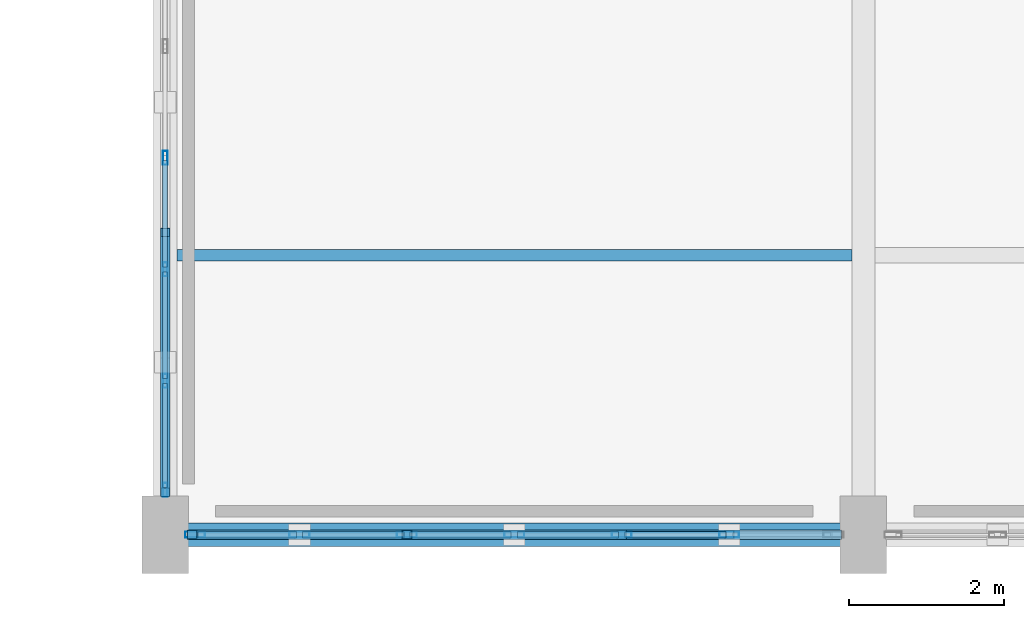
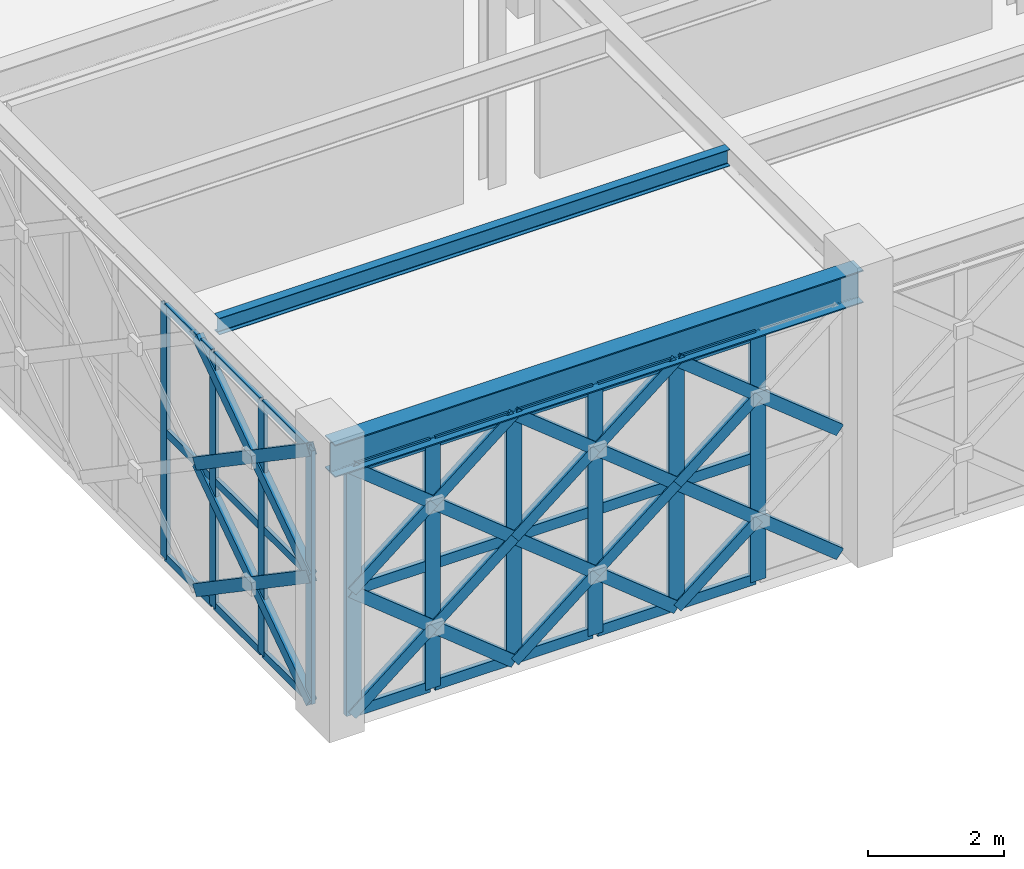
# One storey, part 32 of 155: 56 members, 2 beams, 2 elements without a shape of their own.
"""IFC4 building model written with IfcOpenShell, lengths in metres."""

from ifc_helpers import new_model, si_unit, direction, frame, origin, origin_2d, place, context, subcontext, project, spatial, hollow_rectangle, i_section, extrude, material, material_profile, profile_set, type_object, element, aggregate, save


model = new_model("IFC4")

# Units and contexts
model_context = context("Model", 3, precision=1e-05, world=origin(), true_north=direction((0.0, 1.0)))
body_context = subcontext(model_context, "Body", "Model", "MODEL_VIEW")
ifc_project = project(units=[si_unit("LENGTHUNIT", "METRE"), si_unit("AREAUNIT", "SQUARE_METRE"), si_unit("VOLUMEUNIT", "CUBIC_METRE"), si_unit("PLANEANGLEUNIT", "RADIAN"), si_unit("MASSUNIT", "GRAM", prefix="KILO")], contexts=[model_context])

# Site, building, storey
site_placement = place(None, origin())
site = spatial("IfcSite", under=ifc_project, at=site_placement, CompositionType="ELEMENT")
building_placement = place(site_placement, origin())
building = spatial("IfcBuilding", under=site, at=building_placement, Name="Haizhuo Lancet Aquarium", CompositionType="ELEMENT")
storey_placement = place(building_placement, frame((0.0, 0.0, 10.800048828125)))
storey = spatial("IfcBuildingStorey", under=building, at=storey_placement, Name="L02", CompositionType="ELEMENT", Elevation=10.800048828125)

# Beam
ifc_material_1 = material(Name="Steel S355", Category="steel")
ifc_material_profile_1 = material_profile(ifc_material_1, i_section(OverallWidth=0.300048828125, OverallDepth=0.587890625, WebThickness=0.011962890625, FlangeThickness=0.02001953125, FilletRadius=0.02587890625, at=origin_2d()), Name="HM 588x300x12x20")
ifc_profile_set_1 = profile_set([ifc_material_profile_1], Name="Steel S355")
beam_type_1 = type_object("IfcBeamType", Name="BM-ST-HM588", PredefinedType="BEAM", material=ifc_profile_set_1)
beam_1_placement = place(storey_placement, frame((-18.0, -55.800048828125, 4.755859375), z_axis=(1.0, 0.0, 0.0), x_axis=(0.0, 1.0, 0.0)))
element("IfcBeam", 1, at=beam_1_placement, inside=storey, type_object=beam_type_1, Name="L02 V4 primary girder BM-L02-V4-002", PredefinedType="BEAM", context=body_context, shape_type="SweptSolid", body=[
    extrude(i_section(OverallWidth=0.300048828125, OverallDepth=0.587890625, WebThickness=0.011962890625, FlangeThickness=0.02001953125, FilletRadius=0.02587890625, at=origin_2d()), origin(), (0.0, 0.0, 1.0), 9.0),
])

# Curtain wall, members
ifc_material_2 = material(Name="Aluminium 6063-T6", Category="aluminium")
curtain_wall_type_1 = type_object("IfcCurtainWallType", Name="CWO-10060x4560", PredefinedType="NOTDEFINED", material=ifc_material_2)
curtain_wall_1_placement = place(storey_placement, origin())
curtain_wall_1 = element("IfcCurtainWall", 2, at=curtain_wall_1_placement, inside=storey, type_object=curtain_wall_type_1, Name="L02 curtain wall CW-V4-L02-112", PredefinedType="NOTDEFINED")
ifc_material_profile_2 = material_profile(ifc_material_2, hollow_rectangle(XDim=0.06494140625, YDim=0.179931640625, WallThickness=0.00390625, at=origin_2d()), Name="ALU-M 65x180x4")
ifc_profile_set_2 = profile_set([ifc_material_profile_2], Name="Aluminium 6063-T6")
member_type_1 = type_object("IfcMemberType", Name="CW-MUL-1", PredefinedType="MULLION", material=ifc_profile_set_2)
member_1_placement = place(storey_placement, frame((-18.0, -55.222900390625, 0.0), z_axis=(0.0, 0.0, 1.0), x_axis=(-1.0, 0.0, 0.0)))
member_1 = element("IfcMember", 3, at=member_1_placement, type_object=member_type_1, Name="CWO-100x45 mullion 1", PredefinedType="MULLION", context=body_context, shape_type="SweptSolid", body=[
    extrude(hollow_rectangle(XDim=0.06494140625, YDim=0.179931640625, WallThickness=0.00390625, at=origin_2d()), origin(), (0.0, 0.0, 1.0), 4.56201171875),
])
member_2_placement = place(storey_placement, frame((-18.0, -53.818115234375, 0.0), z_axis=(0.0, 0.0, 1.0), x_axis=(-1.0, 0.0, 0.0)))
member_2 = element("IfcMember", 4, at=member_2_placement, type_object=member_type_1, Name="CWO-100x45 mullion 2", PredefinedType="MULLION", context=body_context, shape_type="SweptSolid", body=[
    extrude(hollow_rectangle(XDim=0.06494140625, YDim=0.179931640625, WallThickness=0.00390625, at=origin_2d()), origin(), (0.0, 0.0, 1.0), 4.56201171875),
])
member_3_placement = place(storey_placement, frame((-18.0, -52.381103515625, 0.0), z_axis=(0.0, 0.0, 1.0), x_axis=(-1.0, 0.0, 0.0)))
member_3 = element("IfcMember", 5, at=member_3_placement, type_object=member_type_1, Name="CWO-100x45 mullion 3", PredefinedType="MULLION", context=body_context, shape_type="SweptSolid", body=[
    extrude(hollow_rectangle(XDim=0.06494140625, YDim=0.179931640625, WallThickness=0.00390625, at=origin_2d()), origin(), (0.0, 0.0, 1.0), 4.56201171875),
])
member_4_placement = place(storey_placement, frame((-18.0, -50.944091796875, 0.0), z_axis=(0.0, 0.0, 1.0), x_axis=(-1.0, 0.0, 0.0)))
member_4 = element("IfcMember", 6, at=member_4_placement, type_object=member_type_1, Name="CWO-100x45 mullion 4", PredefinedType="MULLION", context=body_context, shape_type="SweptSolid", body=[
    extrude(hollow_rectangle(XDim=0.06494140625, YDim=0.179931640625, WallThickness=0.00390625, at=origin_2d()), origin(), (0.0, 0.0, 1.0), 4.56201171875),
])

curtain_wall_type_2 = type_object("IfcCurtainWallType", Name="CWO-8310x4460", PredefinedType="NOTDEFINED", material=ifc_material_2)
curtain_wall_2_placement = place(storey_placement, origin())
curtain_wall_2 = element("IfcCurtainWall", 7, at=curtain_wall_2_placement, inside=storey, type_object=curtain_wall_type_2, Name="L02 curtain wall CW-V4-L02-111", PredefinedType="NOTDEFINED")
ifc_material_profile_3 = material_profile(ifc_material_2, hollow_rectangle(XDim=0.080078125, YDim=0.260009765625, WallThickness=0.0048828125, at=origin_2d()), Name="ALU-M 80x260x5")
ifc_profile_set_3 = profile_set([ifc_material_profile_3], Name="Aluminium 6063-T6")
member_type_2 = type_object("IfcMemberType", Name="CW-MUL-3", PredefinedType="MULLION", material=ifc_profile_set_3)
member_5_placement = place(storey_placement, frame((-10.72998046875, -55.800048828125, 0.0), z_axis=(0.0, 0.0, 1.0), x_axis=(0.0, -1.0, 0.0)))
member_5 = element("IfcMember", 8, at=member_5_placement, type_object=member_type_2, Name="CWO-83x44 mullion 2", PredefinedType="MULLION", context=body_context, shape_type="SweptSolid", body=[
    extrude(hollow_rectangle(XDim=0.080078125, YDim=0.260009765625, WallThickness=0.0048828125, at=origin_2d()), origin(), (0.0, 0.0, 1.0), 4.4619140625),
])
member_6_placement = place(storey_placement, frame((-12.114990234375, -55.800048828125, 0.0), z_axis=(0.0, 0.0, 1.0), x_axis=(0.0, -1.0, 0.0)))
member_6 = element("IfcMember", 9, at=member_6_placement, type_object=member_type_2, Name="CWO-83x44 mullion 3", PredefinedType="MULLION", context=body_context, shape_type="SweptSolid", body=[
    extrude(hollow_rectangle(XDim=0.080078125, YDim=0.260009765625, WallThickness=0.0048828125, at=origin_2d()), origin(), (0.0, 0.0, 1.0), 4.4619140625),
])
member_7_placement = place(storey_placement, frame((-13.5, -55.800048828125, 0.0), z_axis=(0.0, 0.0, 1.0), x_axis=(0.0, -1.0, 0.0)))
member_7 = element("IfcMember", 10, at=member_7_placement, type_object=member_type_2, Name="CWO-83x44 mullion 4", PredefinedType="MULLION", context=body_context, shape_type="SweptSolid", body=[
    extrude(hollow_rectangle(XDim=0.080078125, YDim=0.260009765625, WallThickness=0.0048828125, at=origin_2d()), origin(), (0.0, 0.0, 1.0), 4.4619140625),
])
member_8_placement = place(storey_placement, frame((-14.885009765625, -55.800048828125, 0.0), z_axis=(0.0, 0.0, 1.0), x_axis=(0.0, -1.0, 0.0)))
member_8 = element("IfcMember", 11, at=member_8_placement, type_object=member_type_2, Name="CWO-83x44 mullion 5", PredefinedType="MULLION", context=body_context, shape_type="SweptSolid", body=[
    extrude(hollow_rectangle(XDim=0.080078125, YDim=0.260009765625, WallThickness=0.0048828125, at=origin_2d()), origin(), (0.0, 0.0, 1.0), 4.4619140625),
])
member_9_placement = place(storey_placement, frame((-16.27001953125, -55.800048828125, 0.0), z_axis=(0.0, 0.0, 1.0), x_axis=(0.0, -1.0, 0.0)))
member_9 = element("IfcMember", 12, at=member_9_placement, type_object=member_type_2, Name="CWO-83x44 mullion 6", PredefinedType="MULLION", context=body_context, shape_type="SweptSolid", body=[
    extrude(hollow_rectangle(XDim=0.080078125, YDim=0.260009765625, WallThickness=0.0048828125, at=origin_2d()), origin(), (0.0, 0.0, 1.0), 4.4619140625),
])
member_10_placement = place(storey_placement, frame((-17.614990234375, -55.800048828125, 0.0), z_axis=(0.0, 0.0, 1.0), x_axis=(0.0, -1.0, 0.0)))
member_10 = element("IfcMember", 13, at=member_10_placement, type_object=member_type_2, Name="CWO-83x44 mullion 7", PredefinedType="MULLION", context=body_context, shape_type="SweptSolid", body=[
    extrude(hollow_rectangle(XDim=0.080078125, YDim=0.260009765625, WallThickness=0.0048828125, at=origin_2d()), origin(), (0.0, 0.0, 1.0), 4.4619140625),
])

# Member
ifc_material_profile_4 = material_profile(ifc_material_2, hollow_rectangle(XDim=0.06494140625, YDim=0.139892578125, WallThickness=0.00390625, at=origin_2d()), Name="ALU-T 65x140x4")
ifc_profile_set_4 = profile_set([ifc_material_profile_4], Name="Aluminium 6063-T6")
member_type_3 = type_object("IfcMemberType", Name="CW-TRN-1", PredefinedType="NOTDEFINED", material=ifc_profile_set_4)
member_11_placement = place(storey_placement, frame((-18.0, -55.18994140625, 0.032958984375), z_axis=(0.0, 1.0, 0.0), x_axis=(-1.0, 0.0, 0.0)))
member_11 = element("IfcMember", 14, at=member_11_placement, type_object=member_type_3, Name="CWO-100x45 transom 1.1", ObjectType="TRANSOM", PredefinedType="USERDEFINED", context=body_context, shape_type="SweptSolid", body=[
    extrude(hollow_rectangle(XDim=0.06494140625, YDim=0.139892578125, WallThickness=0.00390625, at=origin_2d()), origin(), (0.0, 0.0, 1.0), 1.33984375),
])

member_12_placement = place(storey_placement, frame((-18.0, -55.18994140625, 2.281005859375), z_axis=(0.0, 1.0, 0.0), x_axis=(-1.0, 0.0, 0.0)))
member_12 = element("IfcMember", 15, at=member_12_placement, type_object=member_type_3, Name="CWO-100x45 transom 1.2", ObjectType="TRANSOM", PredefinedType="USERDEFINED", context=body_context, shape_type="SweptSolid", body=[
    extrude(hollow_rectangle(XDim=0.06494140625, YDim=0.139892578125, WallThickness=0.00390625, at=origin_2d()), origin(), (0.0, 0.0, 1.0), 1.33984375),
])

member_13_placement = place(storey_placement, frame((-18.0, -55.18994140625, 4.529052734375), z_axis=(0.0, 1.0, 0.0), x_axis=(-1.0, 0.0, 0.0)))
member_13 = element("IfcMember", 16, at=member_13_placement, type_object=member_type_3, Name="CWO-100x45 transom 1.3", ObjectType="TRANSOM", PredefinedType="USERDEFINED", context=body_context, shape_type="SweptSolid", body=[
    extrude(hollow_rectangle(XDim=0.06494140625, YDim=0.139892578125, WallThickness=0.00390625, at=origin_2d()), origin(), (0.0, 0.0, 1.0), 1.33984375),
])

member_14_placement = place(storey_placement, frame((-18.0, -53.784912109375, 0.032958984375), z_axis=(0.0, 1.0, 0.0), x_axis=(-1.0, 0.0, 0.0)))
member_14 = element("IfcMember", 17, at=member_14_placement, type_object=member_type_3, Name="CWO-100x45 transom 2.1", ObjectType="TRANSOM", PredefinedType="USERDEFINED", context=body_context, shape_type="SweptSolid", body=[
    extrude(hollow_rectangle(XDim=0.06494140625, YDim=0.139892578125, WallThickness=0.00390625, at=origin_2d()), origin(), (0.0, 0.0, 1.0), 1.371826171875),
])

member_15_placement = place(storey_placement, frame((-18.0, -53.784912109375, 2.281005859375), z_axis=(0.0, 1.0, 0.0), x_axis=(-1.0, 0.0, 0.0)))
member_15 = element("IfcMember", 18, at=member_15_placement, type_object=member_type_3, Name="CWO-100x45 transom 2.2", ObjectType="TRANSOM", PredefinedType="USERDEFINED", context=body_context, shape_type="SweptSolid", body=[
    extrude(hollow_rectangle(XDim=0.06494140625, YDim=0.139892578125, WallThickness=0.00390625, at=origin_2d()), origin(), (0.0, 0.0, 1.0), 1.371826171875),
])

member_16_placement = place(storey_placement, frame((-18.0, -53.784912109375, 4.529052734375), z_axis=(0.0, 1.0, 0.0), x_axis=(-1.0, 0.0, 0.0)))
member_16 = element("IfcMember", 19, at=member_16_placement, type_object=member_type_3, Name="CWO-100x45 transom 2.3", ObjectType="TRANSOM", PredefinedType="USERDEFINED", context=body_context, shape_type="SweptSolid", body=[
    extrude(hollow_rectangle(XDim=0.06494140625, YDim=0.139892578125, WallThickness=0.00390625, at=origin_2d()), origin(), (0.0, 0.0, 1.0), 1.371826171875),
])

member_17_placement = place(storey_placement, frame((-18.0, -52.347900390625, 0.032958984375), z_axis=(0.0, 1.0, 0.0), x_axis=(-1.0, 0.0, 0.0)))
member_17 = element("IfcMember", 20, at=member_17_placement, type_object=member_type_3, Name="CWO-100x45 transom 3.1", ObjectType="TRANSOM", PredefinedType="USERDEFINED", context=body_context, shape_type="SweptSolid", body=[
    extrude(hollow_rectangle(XDim=0.06494140625, YDim=0.139892578125, WallThickness=0.00390625, at=origin_2d()), origin(), (0.0, 0.0, 1.0), 1.371826171875),
])

member_18_placement = place(storey_placement, frame((-18.0, -52.347900390625, 2.281005859375), z_axis=(0.0, 1.0, 0.0), x_axis=(-1.0, 0.0, 0.0)))
member_18 = element("IfcMember", 21, at=member_18_placement, type_object=member_type_3, Name="CWO-100x45 transom 3.2", ObjectType="TRANSOM", PredefinedType="USERDEFINED", context=body_context, shape_type="SweptSolid", body=[
    extrude(hollow_rectangle(XDim=0.06494140625, YDim=0.139892578125, WallThickness=0.00390625, at=origin_2d()), origin(), (0.0, 0.0, 1.0), 1.371826171875),
])

member_19_placement = place(storey_placement, frame((-18.0, -52.347900390625, 4.529052734375), z_axis=(0.0, 1.0, 0.0), x_axis=(-1.0, 0.0, 0.0)))
member_19 = element("IfcMember", 22, at=member_19_placement, type_object=member_type_3, Name="CWO-100x45 transom 3.3", ObjectType="TRANSOM", PredefinedType="USERDEFINED", context=body_context, shape_type="SweptSolid", body=[
    extrude(hollow_rectangle(XDim=0.06494140625, YDim=0.139892578125, WallThickness=0.00390625, at=origin_2d()), origin(), (0.0, 0.0, 1.0), 1.371826171875),
])

aggregate(curtain_wall_1, [member_1, member_2, member_3, member_4, member_11, member_12, member_13, member_14, member_15, member_16, member_17, member_18, member_19])

ifc_material_profile_5 = material_profile(ifc_material_2, hollow_rectangle(XDim=0.080078125, YDim=0.18994140625, WallThickness=0.0048828125, at=origin_2d()), Name="ALU-T 80x190x5")
ifc_profile_set_5 = profile_set([ifc_material_profile_5], Name="Aluminium 6063-T6")
member_type_4 = type_object("IfcMemberType", Name="CW-TRN-3", PredefinedType="NOTDEFINED", material=ifc_profile_set_5)
member_20_placement = place(storey_placement, frame((-10.77001953125, -55.800048828125, 0.0400390625), z_axis=(-1.0, 0.0, 0.0), x_axis=(0.0, -1.0, 0.0)))
member_20 = element("IfcMember", 23, at=member_20_placement, type_object=member_type_4, Name="CWO-83x44 transom 2.1", ObjectType="TRANSOM", PredefinedType="USERDEFINED", context=body_context, shape_type="SweptSolid", body=[
    extrude(hollow_rectangle(XDim=0.080078125, YDim=0.18994140625, WallThickness=0.0048828125, at=origin_2d()), origin(), (0.0, 0.0, 1.0), 1.304931640625),
])

member_21_placement = place(storey_placement, frame((-10.77001953125, -55.800048828125, 2.23095703125), z_axis=(-1.0, 0.0, 0.0), x_axis=(0.0, -1.0, 0.0)))
member_21 = element("IfcMember", 24, at=member_21_placement, type_object=member_type_4, Name="CWO-83x44 transom 2.2", ObjectType="TRANSOM", PredefinedType="USERDEFINED", context=body_context, shape_type="SweptSolid", body=[
    extrude(hollow_rectangle(XDim=0.080078125, YDim=0.18994140625, WallThickness=0.0048828125, at=origin_2d()), origin(), (0.0, 0.0, 1.0), 1.304931640625),
])

member_22_placement = place(storey_placement, frame((-10.77001953125, -55.800048828125, 4.421875), z_axis=(-1.0, 0.0, 0.0), x_axis=(0.0, -1.0, 0.0)))
member_22 = element("IfcMember", 25, at=member_22_placement, type_object=member_type_4, Name="CWO-83x44 transom 2.3", ObjectType="TRANSOM", PredefinedType="USERDEFINED", context=body_context, shape_type="SweptSolid", body=[
    extrude(hollow_rectangle(XDim=0.080078125, YDim=0.18994140625, WallThickness=0.0048828125, at=origin_2d()), origin(), (0.0, 0.0, 1.0), 1.304931640625),
])

member_23_placement = place(storey_placement, frame((-12.155029296875, -55.800048828125, 0.0400390625), z_axis=(-1.0, 0.0, 0.0), x_axis=(0.0, -1.0, 0.0)))
member_23 = element("IfcMember", 26, at=member_23_placement, type_object=member_type_4, Name="CWO-83x44 transom 3.1", ObjectType="TRANSOM", PredefinedType="USERDEFINED", context=body_context, shape_type="SweptSolid", body=[
    extrude(hollow_rectangle(XDim=0.080078125, YDim=0.18994140625, WallThickness=0.0048828125, at=origin_2d()), origin(), (0.0, 0.0, 1.0), 1.304931640625),
])

member_24_placement = place(storey_placement, frame((-12.155029296875, -55.800048828125, 2.23095703125), z_axis=(-1.0, 0.0, 0.0), x_axis=(0.0, -1.0, 0.0)))
member_24 = element("IfcMember", 27, at=member_24_placement, type_object=member_type_4, Name="CWO-83x44 transom 3.2", ObjectType="TRANSOM", PredefinedType="USERDEFINED", context=body_context, shape_type="SweptSolid", body=[
    extrude(hollow_rectangle(XDim=0.080078125, YDim=0.18994140625, WallThickness=0.0048828125, at=origin_2d()), origin(), (0.0, 0.0, 1.0), 1.304931640625),
])

member_25_placement = place(storey_placement, frame((-12.155029296875, -55.800048828125, 4.421875), z_axis=(-1.0, 0.0, 0.0), x_axis=(0.0, -1.0, 0.0)))
member_25 = element("IfcMember", 28, at=member_25_placement, type_object=member_type_4, Name="CWO-83x44 transom 3.3", ObjectType="TRANSOM", PredefinedType="USERDEFINED", context=body_context, shape_type="SweptSolid", body=[
    extrude(hollow_rectangle(XDim=0.080078125, YDim=0.18994140625, WallThickness=0.0048828125, at=origin_2d()), origin(), (0.0, 0.0, 1.0), 1.304931640625),
])

member_26_placement = place(storey_placement, frame((-13.5400390625, -55.800048828125, 0.0400390625), z_axis=(-1.0, 0.0, 0.0), x_axis=(0.0, -1.0, 0.0)))
member_26 = element("IfcMember", 29, at=member_26_placement, type_object=member_type_4, Name="CWO-83x44 transom 4.1", ObjectType="TRANSOM", PredefinedType="USERDEFINED", context=body_context, shape_type="SweptSolid", body=[
    extrude(hollow_rectangle(XDim=0.080078125, YDim=0.18994140625, WallThickness=0.0048828125, at=origin_2d()), origin(), (0.0, 0.0, 1.0), 1.304931640625),
])

member_27_placement = place(storey_placement, frame((-13.5400390625, -55.800048828125, 2.23095703125), z_axis=(-1.0, 0.0, 0.0), x_axis=(0.0, -1.0, 0.0)))
member_27 = element("IfcMember", 30, at=member_27_placement, type_object=member_type_4, Name="CWO-83x44 transom 4.2", ObjectType="TRANSOM", PredefinedType="USERDEFINED", context=body_context, shape_type="SweptSolid", body=[
    extrude(hollow_rectangle(XDim=0.080078125, YDim=0.18994140625, WallThickness=0.0048828125, at=origin_2d()), origin(), (0.0, 0.0, 1.0), 1.304931640625),
])

member_28_placement = place(storey_placement, frame((-13.5400390625, -55.800048828125, 4.421875), z_axis=(-1.0, 0.0, 0.0), x_axis=(0.0, -1.0, 0.0)))
member_28 = element("IfcMember", 31, at=member_28_placement, type_object=member_type_4, Name="CWO-83x44 transom 4.3", ObjectType="TRANSOM", PredefinedType="USERDEFINED", context=body_context, shape_type="SweptSolid", body=[
    extrude(hollow_rectangle(XDim=0.080078125, YDim=0.18994140625, WallThickness=0.0048828125, at=origin_2d()), origin(), (0.0, 0.0, 1.0), 1.304931640625),
])

member_29_placement = place(storey_placement, frame((-14.925048828125, -55.800048828125, 0.0400390625), z_axis=(-1.0, 0.0, 0.0), x_axis=(0.0, -1.0, 0.0)))
member_29 = element("IfcMember", 32, at=member_29_placement, type_object=member_type_4, Name="CWO-83x44 transom 5.1", ObjectType="TRANSOM", PredefinedType="USERDEFINED", context=body_context, shape_type="SweptSolid", body=[
    extrude(hollow_rectangle(XDim=0.080078125, YDim=0.18994140625, WallThickness=0.0048828125, at=origin_2d()), origin(), (0.0, 0.0, 1.0), 1.304931640625),
])

member_30_placement = place(storey_placement, frame((-14.925048828125, -55.800048828125, 2.23095703125), z_axis=(-1.0, 0.0, 0.0), x_axis=(0.0, -1.0, 0.0)))
member_30 = element("IfcMember", 33, at=member_30_placement, type_object=member_type_4, Name="CWO-83x44 transom 5.2", ObjectType="TRANSOM", PredefinedType="USERDEFINED", context=body_context, shape_type="SweptSolid", body=[
    extrude(hollow_rectangle(XDim=0.080078125, YDim=0.18994140625, WallThickness=0.0048828125, at=origin_2d()), origin(), (0.0, 0.0, 1.0), 1.304931640625),
])

member_31_placement = place(storey_placement, frame((-14.925048828125, -55.800048828125, 4.421875), z_axis=(-1.0, 0.0, 0.0), x_axis=(0.0, -1.0, 0.0)))
member_31 = element("IfcMember", 34, at=member_31_placement, type_object=member_type_4, Name="CWO-83x44 transom 5.3", ObjectType="TRANSOM", PredefinedType="USERDEFINED", context=body_context, shape_type="SweptSolid", body=[
    extrude(hollow_rectangle(XDim=0.080078125, YDim=0.18994140625, WallThickness=0.0048828125, at=origin_2d()), origin(), (0.0, 0.0, 1.0), 1.304931640625),
])

member_32_placement = place(storey_placement, frame((-16.31005859375, -55.800048828125, 0.0400390625), z_axis=(-1.0, 0.0, 0.0), x_axis=(0.0, -1.0, 0.0)))
member_32 = element("IfcMember", 35, at=member_32_placement, type_object=member_type_4, Name="CWO-83x44 transom 6.1", ObjectType="TRANSOM", PredefinedType="USERDEFINED", context=body_context, shape_type="SweptSolid", body=[
    extrude(hollow_rectangle(XDim=0.080078125, YDim=0.18994140625, WallThickness=0.0048828125, at=origin_2d()), origin(), (0.0, 0.0, 1.0), 1.264892578125),
])

member_33_placement = place(storey_placement, frame((-16.31005859375, -55.800048828125, 2.23095703125), z_axis=(-1.0, 0.0, 0.0), x_axis=(0.0, -1.0, 0.0)))
member_33 = element("IfcMember", 36, at=member_33_placement, type_object=member_type_4, Name="CWO-83x44 transom 6.2", ObjectType="TRANSOM", PredefinedType="USERDEFINED", context=body_context, shape_type="SweptSolid", body=[
    extrude(hollow_rectangle(XDim=0.080078125, YDim=0.18994140625, WallThickness=0.0048828125, at=origin_2d()), origin(), (0.0, 0.0, 1.0), 1.264892578125),
])

member_34_placement = place(storey_placement, frame((-16.31005859375, -55.800048828125, 4.421875), z_axis=(-1.0, 0.0, 0.0), x_axis=(0.0, -1.0, 0.0)))
member_34 = element("IfcMember", 37, at=member_34_placement, type_object=member_type_4, Name="CWO-83x44 transom 6.3", ObjectType="TRANSOM", PredefinedType="USERDEFINED", context=body_context, shape_type="SweptSolid", body=[
    extrude(hollow_rectangle(XDim=0.080078125, YDim=0.18994140625, WallThickness=0.0048828125, at=origin_2d()), origin(), (0.0, 0.0, 1.0), 1.264892578125),
])

aggregate(curtain_wall_2, [member_5, member_6, member_7, member_8, member_9, member_10, member_20, member_21, member_22, member_23, member_24, member_25, member_26, member_27, member_28, member_29, member_30, member_31, member_32, member_33, member_34])

# Beam
ifc_material_profile_6 = material_profile(ifc_material_1, i_section(OverallWidth=0.14990234375, OverallDepth=0.300048828125, WebThickness=0.006591796875, FlangeThickness=0.009033203125, FilletRadius=0.012939453125, at=origin_2d()), Name="HN 300x150x6.5x9")
ifc_profile_set_6 = profile_set([ifc_material_profile_6], Name="Steel S355")
beam_type_2 = type_object("IfcBeamType", Name="JST-ST-HN300", PredefinedType="JOIST", material=ifc_profile_set_6)
beam_2_placement = place(storey_placement, frame((-17.85009765625, -52.199951171875, 4.89990234375), z_axis=(1.0, 0.0, 0.0), x_axis=(0.0, 1.0, 0.0)))
element("IfcBeam", 38, at=beam_2_placement, inside=storey, type_object=beam_type_2, Name="L02 V4 secondary floor joist 1", PredefinedType="JOIST", context=body_context, shape_type="SweptSolid", body=[
    extrude(i_section(OverallWidth=0.14990234375, OverallDepth=0.300048828125, WebThickness=0.006591796875, FlangeThickness=0.009033203125, FilletRadius=0.012939453125, at=origin_2d()), origin(), (0.0, 0.0, 1.0), 8.7001953125),
])

# Members
ifc_material_profile_7 = material_profile(ifc_material_1, hollow_rectangle(XDim=0.1201171875, YDim=0.199951171875, WallThickness=0.008056640625, at=origin_2d()), Name="RHS 120x200x8")
ifc_profile_set_7 = profile_set([ifc_material_profile_7], Name="Steel S355")
member_type_5 = type_object("IfcMemberType", Name="MEM-LB-RHS120x200", PredefinedType="BRACE", material=ifc_profile_set_7)
member_35_placement = place(storey_placement, frame((-9.344970703125, -55.800048828125, 0.0), z_axis=(-0.778815384678, 0.0, 0.627253215687), x_axis=(0.0, -1.0, 0.0)))
element("IfcMember", 39, at=member_35_placement, inside=storey, type_object=member_type_5, Name="Gothic lancet continuous diagonal brace CW-V4-L02-111 1A", PredefinedType="BRACE", context=body_context, shape_type="SweptSolid", body=[
    extrude(hollow_rectangle(XDim=0.1201171875, YDim=0.199951171875, WallThickness=0.008056640625, at=origin_2d()), origin(), (0.0, 0.0, 1.0), 3.556640625),
])
member_36_placement = place(storey_placement, frame((-12.114990234375, -55.800048828125, 0.0), z_axis=(0.77868125898, 0.0, 0.62741971352), x_axis=(0.0, 1.0, 0.0)))
element("IfcMember", 40, at=member_36_placement, inside=storey, type_object=member_type_5, Name="Gothic lancet split diagonal brace CW-V4-L02-111 1B1", PredefinedType="BRACE", context=body_context, shape_type="SweptSolid", body=[
    extrude(hollow_rectangle(XDim=0.1201171875, YDim=0.199951171875, WallThickness=0.008056640625, at=origin_2d()), origin(), (0.0, 0.0, 1.0), 1.778564453125),
])
member_37_placement = place(storey_placement, frame((-9.344970703125, -55.800048828125, 2.23095703125), z_axis=(-0.778815384678, 0.0, 0.627253215687), x_axis=(0.0, -1.0, 0.0)))
element("IfcMember", 41, at=member_37_placement, inside=storey, type_object=member_type_5, Name="Gothic lancet continuous diagonal brace CW-V4-L02-111 2A", PredefinedType="BRACE", context=body_context, shape_type="SweptSolid", body=[
    extrude(hollow_rectangle(XDim=0.1201171875, YDim=0.199951171875, WallThickness=0.008056640625, at=origin_2d()), origin(), (0.0, 0.0, 1.0), 3.556640625),
])
member_38_placement = place(storey_placement, frame((-12.114990234375, -55.800048828125, 2.23095703125), z_axis=(0.778949520963, 0.0, 0.627086631807), x_axis=(0.0, 1.0, 0.0)))
element("IfcMember", 42, at=member_38_placement, inside=storey, type_object=member_type_5, Name="Gothic lancet split diagonal brace CW-V4-L02-111 2B1", PredefinedType="BRACE", context=body_context, shape_type="SweptSolid", body=[
    extrude(hollow_rectangle(XDim=0.1201171875, YDim=0.199951171875, WallThickness=0.008056640625, at=origin_2d()), origin(), (0.0, 0.0, 1.0), 1.778076171875),
])
member_39_placement = place(storey_placement, frame((-12.114990234375, -55.800048828125, 0.0), z_axis=(-0.778815384678, 0.0, 0.627253215687), x_axis=(0.0, -1.0, 0.0)))
element("IfcMember", 43, at=member_39_placement, inside=storey, type_object=member_type_5, Name="Gothic lancet continuous diagonal brace CW-V4-L02-111 3A", PredefinedType="BRACE", context=body_context, shape_type="SweptSolid", body=[
    extrude(hollow_rectangle(XDim=0.1201171875, YDim=0.199951171875, WallThickness=0.008056640625, at=origin_2d()), origin(), (0.0, 0.0, 1.0), 3.556640625),
])
member_40_placement = place(storey_placement, frame((-14.885009765625, -55.800048828125, 0.0), z_axis=(0.77868125898, 0.0, 0.62741971352), x_axis=(0.0, 1.0, 0.0)))
element("IfcMember", 44, at=member_40_placement, inside=storey, type_object=member_type_5, Name="Gothic lancet split diagonal brace CW-V4-L02-111 3B1", PredefinedType="BRACE", context=body_context, shape_type="SweptSolid", body=[
    extrude(hollow_rectangle(XDim=0.1201171875, YDim=0.199951171875, WallThickness=0.008056640625, at=origin_2d()), origin(), (0.0, 0.0, 1.0), 1.778564453125),
])
member_41_placement = place(storey_placement, frame((-13.5, -55.800048828125, 1.115966796875), z_axis=(0.778949520963, 0.0, 0.627086631807), x_axis=(0.0, 1.0, 0.0)))
element("IfcMember", 45, at=member_41_placement, inside=storey, type_object=member_type_5, Name="Gothic lancet split diagonal brace CW-V4-L02-111 3B2", PredefinedType="BRACE", context=body_context, shape_type="SweptSolid", body=[
    extrude(hollow_rectangle(XDim=0.1201171875, YDim=0.199951171875, WallThickness=0.008056640625, at=origin_2d()), origin(), (0.0, 0.0, 1.0), 1.778076171875),
])
member_42_placement = place(storey_placement, frame((-12.114990234375, -55.800048828125, 2.23095703125), z_axis=(-0.778815384678, 0.0, 0.627253215687), x_axis=(0.0, -1.0, 0.0)))
element("IfcMember", 46, at=member_42_placement, inside=storey, type_object=member_type_5, Name="Gothic lancet continuous diagonal brace CW-V4-L02-111 4A", PredefinedType="BRACE", context=body_context, shape_type="SweptSolid", body=[
    extrude(hollow_rectangle(XDim=0.1201171875, YDim=0.199951171875, WallThickness=0.008056640625, at=origin_2d()), origin(), (0.0, 0.0, 1.0), 3.556640625),
])
member_43_placement = place(storey_placement, frame((-14.885009765625, -55.800048828125, 2.23095703125), z_axis=(0.778949520963, 0.0, 0.627086631807), x_axis=(0.0, 1.0, 0.0)))
element("IfcMember", 47, at=member_43_placement, inside=storey, type_object=member_type_5, Name="Gothic lancet split diagonal brace CW-V4-L02-111 4B1", PredefinedType="BRACE", context=body_context, shape_type="SweptSolid", body=[
    extrude(hollow_rectangle(XDim=0.1201171875, YDim=0.199951171875, WallThickness=0.008056640625, at=origin_2d()), origin(), (0.0, 0.0, 1.0), 1.778076171875),
])
member_44_placement = place(storey_placement, frame((-13.5, -55.800048828125, 3.345947265625), z_axis=(0.77868125898, 0.0, 0.62741971352), x_axis=(0.0, 1.0, 0.0)))
element("IfcMember", 48, at=member_44_placement, inside=storey, type_object=member_type_5, Name="Gothic lancet split diagonal brace CW-V4-L02-111 4B2", PredefinedType="BRACE", context=body_context, shape_type="SweptSolid", body=[
    extrude(hollow_rectangle(XDim=0.1201171875, YDim=0.199951171875, WallThickness=0.008056640625, at=origin_2d()), origin(), (0.0, 0.0, 1.0), 1.778564453125),
])
member_45_placement = place(storey_placement, frame((-14.885009765625, -55.800048828125, 0.0), z_axis=(-0.778815384678, 0.0, 0.627253215687), x_axis=(0.0, -1.0, 0.0)))
element("IfcMember", 49, at=member_45_placement, inside=storey, type_object=member_type_5, Name="Gothic lancet continuous diagonal brace CW-V4-L02-111 5A", PredefinedType="BRACE", context=body_context, shape_type="SweptSolid", body=[
    extrude(hollow_rectangle(XDim=0.1201171875, YDim=0.199951171875, WallThickness=0.008056640625, at=origin_2d()), origin(), (0.0, 0.0, 1.0), 3.556640625),
])
member_46_placement = place(storey_placement, frame((-17.655029296875, -55.800048828125, 0.0), z_axis=(0.77868125898, 0.0, 0.62741971352), x_axis=(0.0, 1.0, 0.0)))
element("IfcMember", 50, at=member_46_placement, inside=storey, type_object=member_type_5, Name="Gothic lancet split diagonal brace CW-V4-L02-111 5B1", PredefinedType="BRACE", context=body_context, shape_type="SweptSolid", body=[
    extrude(hollow_rectangle(XDim=0.1201171875, YDim=0.199951171875, WallThickness=0.008056640625, at=origin_2d()), origin(), (0.0, 0.0, 1.0), 1.778564453125),
])
member_47_placement = place(storey_placement, frame((-16.27001953125, -55.800048828125, 1.115966796875), z_axis=(0.778949520963, 0.0, 0.627086631807), x_axis=(0.0, 1.0, 0.0)))
element("IfcMember", 51, at=member_47_placement, inside=storey, type_object=member_type_5, Name="Gothic lancet split diagonal brace CW-V4-L02-111 5B2", PredefinedType="BRACE", context=body_context, shape_type="SweptSolid", body=[
    extrude(hollow_rectangle(XDim=0.1201171875, YDim=0.199951171875, WallThickness=0.008056640625, at=origin_2d()), origin(), (0.0, 0.0, 1.0), 1.778076171875),
])
member_48_placement = place(storey_placement, frame((-14.885009765625, -55.800048828125, 2.23095703125), z_axis=(-0.778815384678, 0.0, 0.627253215687), x_axis=(0.0, -1.0, 0.0)))
element("IfcMember", 52, at=member_48_placement, inside=storey, type_object=member_type_5, Name="Gothic lancet continuous diagonal brace CW-V4-L02-111 6A", PredefinedType="BRACE", context=body_context, shape_type="SweptSolid", body=[
    extrude(hollow_rectangle(XDim=0.1201171875, YDim=0.199951171875, WallThickness=0.008056640625, at=origin_2d()), origin(), (0.0, 0.0, 1.0), 3.556640625),
])
member_49_placement = place(storey_placement, frame((-17.655029296875, -55.800048828125, 2.23095703125), z_axis=(0.778949520963, 0.0, 0.627086631807), x_axis=(0.0, 1.0, 0.0)))
element("IfcMember", 53, at=member_49_placement, inside=storey, type_object=member_type_5, Name="Gothic lancet split diagonal brace CW-V4-L02-111 6B1", PredefinedType="BRACE", context=body_context, shape_type="SweptSolid", body=[
    extrude(hollow_rectangle(XDim=0.1201171875, YDim=0.199951171875, WallThickness=0.008056640625, at=origin_2d()), origin(), (0.0, 0.0, 1.0), 1.778076171875),
])
member_50_placement = place(storey_placement, frame((-16.27001953125, -55.800048828125, 3.345947265625), z_axis=(0.77868125898, 0.0, 0.62741971352), x_axis=(0.0, 1.0, 0.0)))
element("IfcMember", 54, at=member_50_placement, inside=storey, type_object=member_type_5, Name="Gothic lancet split diagonal brace CW-V4-L02-111 6B2", PredefinedType="BRACE", context=body_context, shape_type="SweptSolid", body=[
    extrude(hollow_rectangle(XDim=0.1201171875, YDim=0.199951171875, WallThickness=0.008056640625, at=origin_2d()), origin(), (0.0, 0.0, 1.0), 1.778564453125),
])
member_51_placement = place(storey_placement, frame((-18.0, -55.2548828125, 0.0), z_axis=(0.0, 0.826798824532, 0.562497736664), x_axis=(-1.0, 0.0, 0.0)))
element("IfcMember", 55, at=member_51_placement, inside=storey, type_object=member_type_5, Name="Gothic lancet continuous diagonal brace CW-V4-L02-112 1A", PredefinedType="BRACE", context=body_context, shape_type="SweptSolid", body=[
    extrude(hollow_rectangle(XDim=0.1201171875, YDim=0.199951171875, WallThickness=0.008056640625, at=origin_2d()), origin(), (0.0, 0.0, 1.0), 4.05517578125),
])
member_52_placement = place(storey_placement, frame((-18.0, -51.902099609375, 0.0), z_axis=(0.0, -0.826810066836, 0.562481211578), x_axis=(1.0, 0.0, 0.0)))
element("IfcMember", 56, at=member_52_placement, inside=storey, type_object=member_type_5, Name="Gothic lancet split diagonal brace CW-V4-L02-112 1B1", PredefinedType="BRACE", context=body_context, shape_type="SweptSolid", body=[
    extrude(hollow_rectangle(XDim=0.1201171875, YDim=0.199951171875, WallThickness=0.008056640625, at=origin_2d()), origin(), (0.0, 0.0, 1.0), 2.0283203125),
])
member_53_placement = place(storey_placement, frame((-18.0, -53.5791015625, 1.140869140625), z_axis=(0.0, -0.826787574014, 0.562514273113), x_axis=(1.0, 0.0, 0.0)))
element("IfcMember", 57, at=member_53_placement, inside=storey, type_object=member_type_5, Name="Gothic lancet split diagonal brace CW-V4-L02-112 1B2", PredefinedType="BRACE", context=body_context, shape_type="SweptSolid", body=[
    extrude(hollow_rectangle(XDim=0.1201171875, YDim=0.199951171875, WallThickness=0.008056640625, at=origin_2d()), origin(), (0.0, 0.0, 1.0), 2.02685546875),
])
member_54_placement = place(storey_placement, frame((-18.0, -55.2548828125, 2.281005859375), z_axis=(0.0, 0.826798824532, 0.562497736664), x_axis=(-1.0, 0.0, 0.0)))
element("IfcMember", 58, at=member_54_placement, inside=storey, type_object=member_type_5, Name="Gothic lancet continuous diagonal brace CW-V4-L02-112 2A", PredefinedType="BRACE", context=body_context, shape_type="SweptSolid", body=[
    extrude(hollow_rectangle(XDim=0.1201171875, YDim=0.199951171875, WallThickness=0.008056640625, at=origin_2d()), origin(), (0.0, 0.0, 1.0), 4.05517578125),
])
member_55_placement = place(storey_placement, frame((-18.0, -51.902099609375, 2.281005859375), z_axis=(0.0, -0.82703397838, 0.562151935516), x_axis=(1.0, 0.0, 0.0)))
element("IfcMember", 59, at=member_55_placement, inside=storey, type_object=member_type_5, Name="Gothic lancet split diagonal brace CW-V4-L02-112 2B1", PredefinedType="BRACE", context=body_context, shape_type="SweptSolid", body=[
    extrude(hollow_rectangle(XDim=0.1201171875, YDim=0.199951171875, WallThickness=0.008056640625, at=origin_2d()), origin(), (0.0, 0.0, 1.0), 2.02783203125),
])
member_56_placement = place(storey_placement, frame((-18.0, -53.5791015625, 3.4208984375), z_axis=(0.0, -0.826563488641, 0.562843494451), x_axis=(1.0, 0.0, 0.0)))
element("IfcMember", 60, at=member_56_placement, inside=storey, type_object=member_type_5, Name="Gothic lancet split diagonal brace CW-V4-L02-112 2B2", PredefinedType="BRACE", context=body_context, shape_type="SweptSolid", body=[
    extrude(hollow_rectangle(XDim=0.1201171875, YDim=0.199951171875, WallThickness=0.008056640625, at=origin_2d()), origin(), (0.0, 0.0, 1.0), 2.02734375),
])

save(model, "model.ifc")
